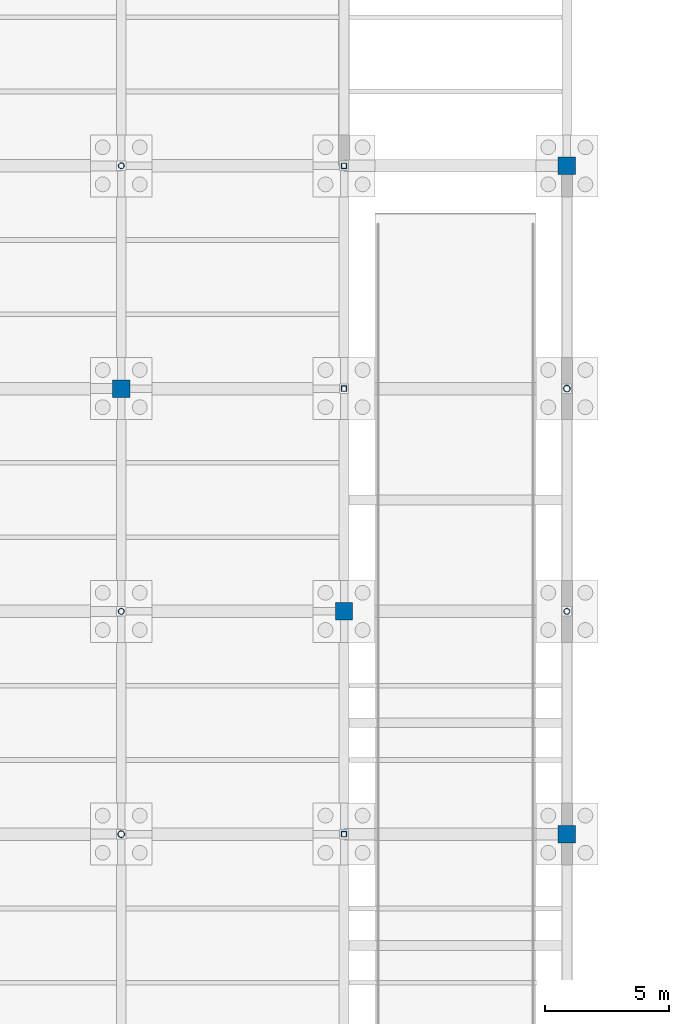
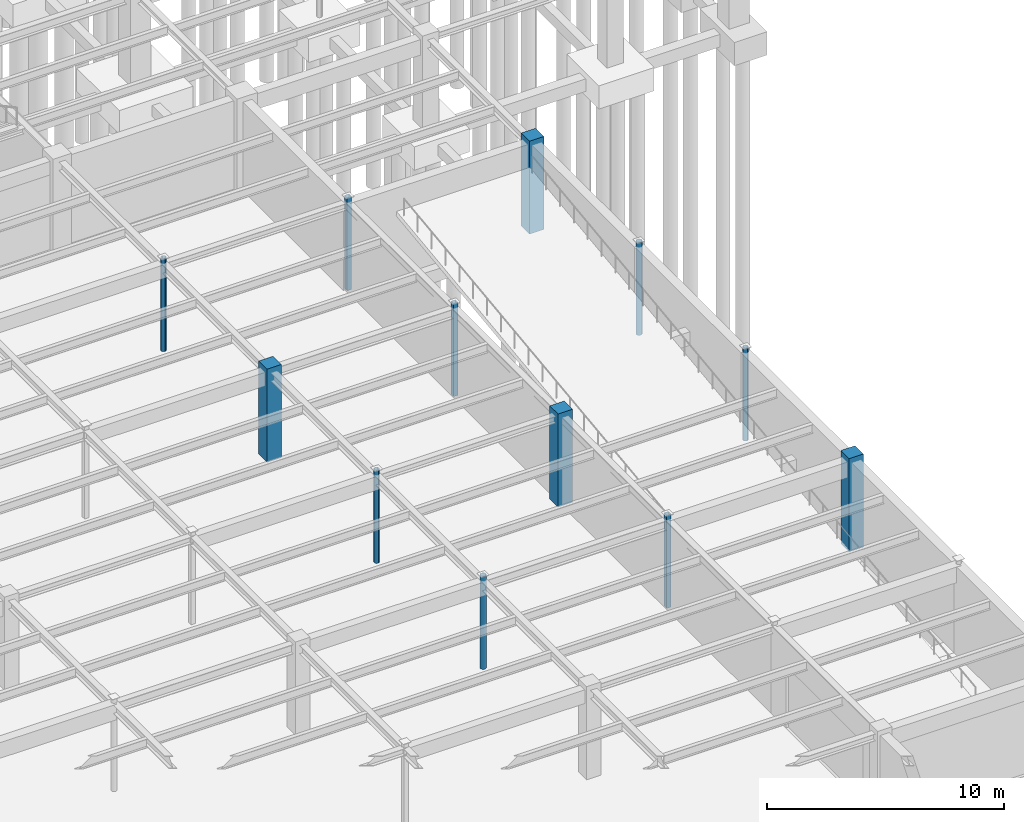
# One storey, part 29 of 49: 12 columns.
"""IFC4 building model written with IfcOpenShell, lengths in metres."""

from ifc_helpers import new_model, si_unit, direction, frame, origin, origin_2d, place, context, subcontext, project, spatial, rectangle, hollow_rectangle, hollow_circle, extrude, material, material_profile, profile_set, type_object, element, save


model = new_model("IFC4")

# Units and contexts
model_context = context("Model", 3, precision=1e-05, world=origin(), true_north=direction((0.0, 1.0)))
body_context = subcontext(model_context, "Body", "Model", "MODEL_VIEW")
ifc_project = project(units=[si_unit("LENGTHUNIT", "METRE"), si_unit("AREAUNIT", "SQUARE_METRE"), si_unit("VOLUMEUNIT", "CUBIC_METRE"), si_unit("PLANEANGLEUNIT", "RADIAN"), si_unit("MASSUNIT", "GRAM", prefix="KILO")], contexts=[model_context])

# Site, building, storey
site_placement = place(None, origin())
site = spatial("IfcSite", under=ifc_project, at=site_placement, CompositionType="ELEMENT")
building_placement = place(site_placement, origin())
building = spatial("IfcBuilding", under=site, at=building_placement, Name="Lykobir Media Centre", CompositionType="ELEMENT")
storey_placement = place(building_placement, frame((0.0, 0.0, -4.800048828125)))
storey = spatial("IfcBuildingStorey", under=building, at=storey_placement, Name="B1", CompositionType="ELEMENT", Elevation=-4.800048828125)

# Columns
ifc_material_1 = material(Name="Concrete C40/50", Category="concrete")
ifc_material_profile_1 = material_profile(ifc_material_1, rectangle(XDim=0.699951171875, YDim=0.699951171875, at=origin_2d()), Name="RC 700x700")
ifc_profile_set_1 = profile_set([ifc_material_profile_1], Name="Concrete C40/50")
column_type_1 = type_object("IfcColumnType", Name="RC-C700", PredefinedType="COLUMN", material=ifc_profile_set_1)
for number, where, z_axis, x_axis, name in (
    (1, (135.0, 54.0, 0.0), (0.0, 0.0, 1.0), (1.0, 0.0, 0.0), "Column COL-B1-1350-0540"),
    (2, (144.0, 45.0, 0.0), (0.0, 0.0, 1.0), (1.0, 0.0, 0.0), "Column COL-B1-1440-0450"),
    (3, (153.0, 36.0, 0.0), (0.0, 0.0, 1.0), (1.0, 0.0, 0.0), "Column COL-B1-1530-0360"),
    (4, (153.0, 63.0, 0.0), (0.0, 0.0, 1.0), (1.0, 0.0, 0.0), "Column COL-B1-1530-0630"),
):
    element("IfcColumn", number, at=place(storey_placement, frame(where, z_axis=z_axis, x_axis=x_axis)), inside=storey, type_object=column_type_1, Name=name, PredefinedType="COLUMN", context=body_context, shape_type="SweptSolid", body=[
        extrude(rectangle(XDim=0.699951171875, YDim=0.699951171875, at=origin_2d()), origin(), (0.0, 0.0, 1.0), 4.800048828125),
    ])
ifc_material_2 = material(Name="Steel S355", Category="steel")
ifc_material_profile_2 = material_profile(ifc_material_2, hollow_circle(Radius=0.122314453125, WallThickness=0.012451171875, at=origin_2d()), Name="CHS 244.5x12.5")
ifc_profile_set_2 = profile_set([ifc_material_profile_2], Name="Steel S355")
column_type_2 = type_object("IfcColumnType", Name="SC-CHS244", PredefinedType="COLUMN", material=ifc_profile_set_2)
for number, where, z_axis, x_axis, name in (
    (5, (135.0, 45.0, 0.0), (0.0, 0.0, 1.0), (1.0, 0.0, 0.0), "Column COL-B1-1350-0450"),
    (6, (135.0, 63.0, 0.0), (0.0, 0.0, 1.0), (1.0, 0.0, 0.0), "Column COL-B1-1350-0630"),
    (7, (153.0, 45.0, 0.0), (0.0, 0.0, 1.0), (1.0, 0.0, 0.0), "Column COL-B1-1530-0450"),
):
    element("IfcColumn", number, at=place(storey_placement, frame(where, z_axis=z_axis, x_axis=x_axis)), inside=storey, type_object=column_type_2, Name=name, PredefinedType="COLUMN", context=body_context, shape_type="SweptSolid", body=[
        extrude(hollow_circle(Radius=0.122314453125, WallThickness=0.012451171875, at=origin_2d()), origin(), (0.0, 0.0, 1.0), 4.800048828125),
    ])
ifc_material_profile_3 = material_profile(ifc_material_2, hollow_circle(Radius=0.136474609375, WallThickness=0.012451171875, at=origin_2d()), Name="CHS 273.0x12.5")
ifc_profile_set_3 = profile_set([ifc_material_profile_3], Name="Steel S355")
column_type_3 = type_object("IfcColumnType", Name="SC-CHS273", PredefinedType="COLUMN", material=ifc_profile_set_3)
for number, where, z_axis, x_axis, name in (
    (8, (135.0, 36.0, 0.0), (0.0, 0.0, 1.0), (1.0, 0.0, 0.0), "Column COL-B1-1350-0360"),
    (9, (153.0, 54.0, 0.0), (0.0, 0.0, 1.0), (1.0, 0.0, 0.0), "Column COL-B1-1530-0540"),
):
    element("IfcColumn", number, at=place(storey_placement, frame(where, z_axis=z_axis, x_axis=x_axis)), inside=storey, type_object=column_type_3, Name=name, PredefinedType="COLUMN", context=body_context, shape_type="SweptSolid", body=[
        extrude(hollow_circle(Radius=0.136474609375, WallThickness=0.012451171875, at=origin_2d()), origin(), (0.0, 0.0, 1.0), 4.800048828125),
    ])
ifc_material_profile_4 = material_profile(ifc_material_2, hollow_rectangle(XDim=0.219970703125, YDim=0.219970703125, WallThickness=0.012451171875, at=origin_2d()), Name="SHS 220x220x12.5")
ifc_profile_set_4 = profile_set([ifc_material_profile_4], Name="Steel S355")
column_type_4 = type_object("IfcColumnType", Name="SC-SHS220", PredefinedType="COLUMN", material=ifc_profile_set_4)
for number, where, z_axis, x_axis, name in (
    (10, (144.0, 36.0, 0.0), (0.0, 0.0, 1.0), (1.0, 0.0, 0.0), "Column COL-B1-1440-0360"),
    (11, (144.0, 54.0, 0.0), (0.0, 0.0, 1.0), (1.0, 0.0, 0.0), "Column COL-B1-1440-0540"),
    (12, (144.0, 63.0, 0.0), (0.0, 0.0, 1.0), (1.0, 0.0, 0.0), "Column COL-B1-1440-0630"),
):
    element("IfcColumn", number, at=place(storey_placement, frame(where, z_axis=z_axis, x_axis=x_axis)), inside=storey, type_object=column_type_4, Name=name, PredefinedType="COLUMN", context=body_context, shape_type="SweptSolid", body=[
        extrude(hollow_rectangle(XDim=0.219970703125, YDim=0.219970703125, WallThickness=0.012451171875, at=origin_2d()), origin(), (0.0, 0.0, 1.0), 4.800048828125),
    ])

save(model, "model.ifc")
